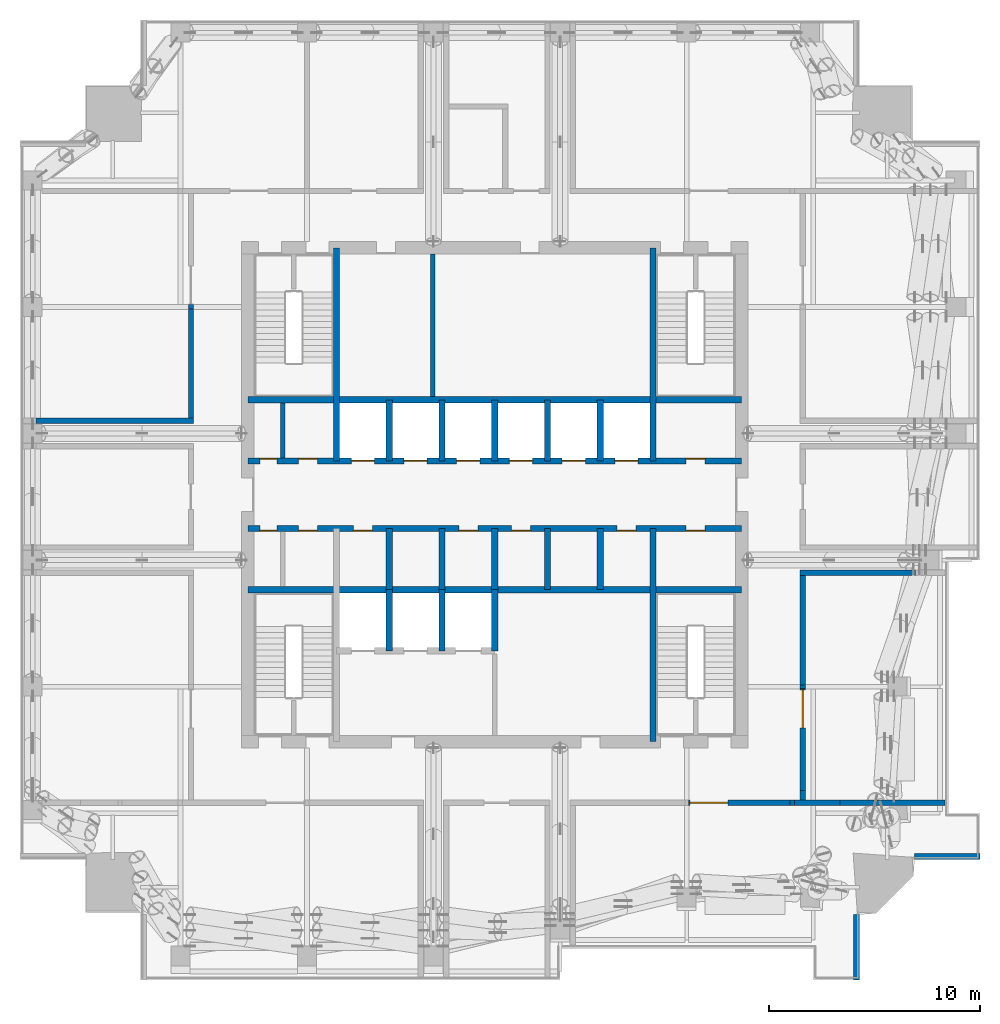
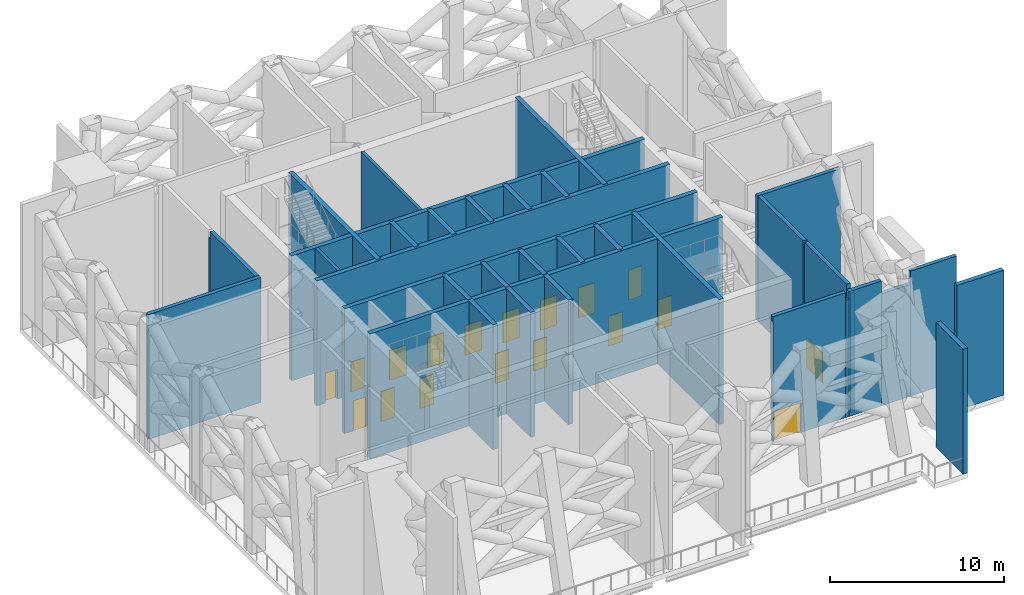
# One storey, part 8 of 18: 37 walls, 18 doors, 18 openings.
"""IFC4 building model written with IfcOpenShell, lengths in metres."""

from ifc_helpers import new_model, si_unit, direction, frame, frame_2d, origin, place, context, subcontext, project, spatial, rectangle, extrude, material, layer, layer_set, type_object, element, fill, save


model = new_model("IFC4")

# Units and contexts
model_context = context("Model", 3, precision=1e-05, world=origin(), true_north=direction((0.0, 1.0)))
body_context = subcontext(model_context, "Body", "Model", "MODEL_VIEW")
ifc_project = project(units=[si_unit("LENGTHUNIT", "METRE"), si_unit("AREAUNIT", "SQUARE_METRE"), si_unit("VOLUMEUNIT", "CUBIC_METRE"), si_unit("PLANEANGLEUNIT", "RADIAN"), si_unit("MASSUNIT", "GRAM", prefix="KILO")], contexts=[model_context])

# Site, building, storey
site_placement = place(None, origin())
site = spatial("IfcSite", under=ifc_project, at=site_placement, CompositionType="ELEMENT")
building_placement = place(site_placement, origin())
building = spatial("IfcBuilding", under=site, at=building_placement, Name="Amberfall Residences", CompositionType="ELEMENT")
storey_placement = place(building_placement, frame((0.0, 0.0, 229.89990234375)))
storey = spatial("IfcBuildingStorey", under=building, at=storey_placement, Name="L62", CompositionType="ELEMENT", Elevation=229.89990234375)

# Wall, opening, door
ifc_material_1 = material(Name="Reinforced concrete C40", Category="concrete")
ifc_layer_1 = layer(ifc_material_1, 0.25)
ifc_layer_set_1 = layer_set([ifc_layer_1], Name="Compartment wall 250")
wall_type_1 = type_object("IfcWallType", Name="Compartment wall 250", PredefinedType="SOLIDWALL", material=ifc_layer_set_1)
wall_1_placement = place(storey_placement, frame((83.688720703125, 30.89990234375, 0.0), z_axis=(0.0, 0.0, 1.0), x_axis=(1.0, 0.0, 0.0)))
wall_1 = element("IfcWall", 1, at=wall_1_placement, inside=storey, type_object=wall_type_1, Name="Compartment wall 250 L62 012", PredefinedType="SOLIDWALL", context=body_context, shape_type="SweptSolid", body=[
    extrude(rectangle(XDim=4.806640625, YDim=0.25, at=frame_2d((2.4033203125, 0.0))), origin(), (0.0, 0.0, 1.0), 8.75),
])
opening_1_placement = place(wall_1_placement, frame((0.061279296875, 0.0, 0.0)))
opening_1 = element("IfcOpeningElement", 2, at=opening_1_placement, cuts=wall_1, Name="Opening D13", PredefinedType="OPENING", context=body_context, shape_type="SweptSolid", body=[
    extrude(rectangle(XDim=1.800048828125, YDim=2.10009765625, at=frame_2d((0.89990234375, 1.050048828125))), frame((0.0, 0.135009765625, 0.0), z_axis=(0.0, -1.0, 0.0), x_axis=(1.0, 0.0, 0.0)), (0.0, 0.0, 1.0), 0.27001953125),
])
ifc_material_2 = material(Name="Steel fire door leaf", Category="steel")
door_type_1 = type_object("IfcDoorType", Name="Double fire door 1800x2100 FD60", OperationType="DOUBLE_DOOR_SINGLE_SWING", PredefinedType="DOOR", material=ifc_material_2)
door_1_placement = place(opening_1_placement, origin())
door_1 = element("IfcDoor", 3, at=door_1_placement, inside=storey, type_object=door_type_1, Name="Door Refuge area 3", OperationType="DOUBLE_DOOR_SINGLE_SWING", OverallHeight=2.10009765625, OverallWidth=1.800048828125, PredefinedType="DOOR", context=body_context, shape_type="SweptSolid", body=[
    extrude(rectangle(XDim=1.800048828125, YDim=2.10009765625, at=frame_2d((0.89990234375, 1.050048828125))), frame((0.0, 0.02490234375, 0.0), z_axis=(0.0, -1.0, 0.0), x_axis=(1.0, 0.0, 0.0)), (0.0, 0.0, 1.0), 0.050048828125),
])
fill(opening_1, door_1)

# Walls
wall_2_placement = place(storey_placement, frame((88.495361328125, 30.89990234375, 0.0), z_axis=(0.0, 0.0, 1.0), x_axis=(1.0, 0.0, 0.0)))
element("IfcWall", 4, at=wall_2_placement, inside=storey, type_object=wall_type_1, Name="Compartment wall 250 L62 013", PredefinedType="SOLIDWALL", context=body_context, shape_type="SweptSolid", body=[
    extrude(rectangle(XDim=0.209228515625, YDim=0.25, at=frame_2d((0.1044921875, 0.0))), origin(), (0.0, 0.0, 1.0), 8.217041015625),
])
wall_3_placement = place(storey_placement, frame((88.70458984375, 30.89990234375, 0.0), z_axis=(0.0, 0.0, 1.0), x_axis=(1.0, 0.0, 0.0)))
element("IfcWall", 5, at=wall_3_placement, inside=storey, type_object=wall_type_1, Name="Compartment wall 250 L62 014", PredefinedType="SOLIDWALL", context=body_context, shape_type="SweptSolid", body=[
    extrude(rectangle(XDim=2.158935546875, YDim=0.25, at=frame_2d((1.07958984375, 0.0))), origin(), (0.0, 0.0, 1.0), 8.75),
])
wall_4_placement = place(storey_placement, frame((90.863525390625, 30.89990234375, 0.0), z_axis=(0.0, 0.0, 1.0), x_axis=(1.0, 0.0, 0.0)))
element("IfcWall", 6, at=wall_4_placement, inside=storey, type_object=wall_type_1, Name="Compartment wall 250 L62 015", PredefinedType="SOLIDWALL", context=body_context, shape_type="SweptSolid", body=[
    extrude(rectangle(XDim=1.929443359375, YDim=0.25, at=frame_2d((0.96484375, 0.0))), origin(), (0.0, 0.0, 1.0), 7.836181640625),
])
wall_5_placement = place(storey_placement, frame((92.79296875, 30.89990234375, 0.0), z_axis=(0.0, 0.0, 1.0), x_axis=(1.0, 0.0, 0.0)))
element("IfcWall", 7, at=wall_5_placement, inside=storey, type_object=wall_type_1, Name="Compartment wall 250 L62 016", PredefinedType="SOLIDWALL", context=body_context, shape_type="SweptSolid", body=[
    extrude(rectangle(XDim=3.05712890625, YDim=0.25, at=frame_2d((1.528564453125, 0.0))), origin(), (0.0, 0.0, 1.0), 8.75),
])
wall_6_placement = place(storey_placement, frame((88.97509765625, 41.800048828125, 0.0), z_axis=(0.0, 0.0, 1.0), x_axis=(1.0, 0.0, 0.0)))
element("IfcWall", 8, at=wall_6_placement, inside=storey, type_object=wall_type_1, Name="Compartment wall 250 L62 019", PredefinedType="SOLIDWALL", context=body_context, shape_type="SweptSolid", body=[
    extrude(rectangle(XDim=5.474853515625, YDim=0.25, at=frame_2d((2.7373046875, 0.0))), origin(), (0.0, 0.0, 1.0), 8.75),
])
wall_7_placement = place(storey_placement, frame((52.75, 49.0, 0.0), z_axis=(0.0, 0.0, 1.0), x_axis=(1.0, 0.0, 0.0)))
element("IfcWall", 9, at=wall_7_placement, inside=storey, type_object=wall_type_1, Name="Compartment wall 250 L62 033", PredefinedType="SOLIDWALL", context=body_context, shape_type="SweptSolid", body=[
    extrude(rectangle(XDim=7.47509765625, YDim=0.25, at=frame_2d((3.737548828125, 0.0))), origin(), (0.0, 0.0, 1.0), 8.75),
])
wall_8_placement = place(storey_placement, frame((60.10009765625, 49.125, 0.0), z_axis=(0.0, 0.0, 1.0), x_axis=(0.0, 1.0, 0.0)))
element("IfcWall", 10, at=wall_8_placement, inside=storey, type_object=wall_type_1, Name="Compartment wall 250 L62 055", PredefinedType="SOLIDWALL", context=body_context, shape_type="SweptSolid", body=[
    extrude(rectangle(XDim=5.17041015625, YDim=0.25, at=frame_2d((2.585205078125, 0.0))), origin(), (0.0, 0.0, 1.0), 8.75),
])
wall_9_placement = place(storey_placement, frame((60.10009765625, 54.29541015625, 0.0), z_axis=(0.0, 0.0, 1.0), x_axis=(0.0, 1.0, 0.0)))
element("IfcWall", 11, at=wall_9_placement, inside=storey, type_object=wall_type_1, Name="Compartment wall 250 L62 056", PredefinedType="SOLIDWALL", context=body_context, shape_type="SweptSolid", body=[
    extrude(rectangle(XDim=0.209228515625, YDim=0.25, at=frame_2d((0.1044921875, 0.0))), origin(), (0.0, 0.0, 1.0), 8.217041015625),
])
wall_10_placement = place(storey_placement, frame((89.10009765625, 31.02490234375, 0.0), z_axis=(0.0, 0.0, 1.0), x_axis=(0.0, 1.0, 0.0)))
element("IfcWall", 12, at=wall_10_placement, inside=storey, type_object=wall_type_1, Name="Compartment wall 250 L62 080", PredefinedType="SOLIDWALL", context=body_context, shape_type="SweptSolid", body=[
    extrude(rectangle(XDim=0.460693359375, YDim=0.25, at=frame_2d((0.23046875, 0.0))), origin(), (0.0, 0.0, 1.0), 8.399169921875),
])

# Wall, opening, door
wall_11_placement = place(storey_placement, frame((89.10009765625, 31.485595703125, 0.0), z_axis=(0.0, 0.0, 1.0), x_axis=(0.0, 1.0, 0.0)))
wall_11 = element("IfcWall", 13, at=wall_11_placement, inside=storey, type_object=wall_type_1, Name="Compartment wall 250 L62 081", PredefinedType="SOLIDWALL", context=body_context, shape_type="SweptSolid", body=[
    extrude(rectangle(XDim=4.825439453125, YDim=0.25, at=frame_2d((2.41259765625, 0.0))), origin(), (0.0, 0.0, 1.0), 8.75),
])
opening_2_placement = place(wall_11_placement, frame((2.96435546875, 0.0, 0.0)))
opening_2 = element("IfcOpeningElement", 14, at=opening_2_placement, cuts=wall_11, Name="Opening D13", PredefinedType="OPENING", context=body_context, shape_type="SweptSolid", body=[
    extrude(rectangle(XDim=1.800048828125, YDim=2.10009765625, at=frame_2d((0.89990234375, 1.050048828125))), frame((0.0, 0.135009765625, 0.0), z_axis=(0.0, -1.0, 0.0), x_axis=(1.0, 0.0, 0.0)), (0.0, 0.0, 1.0), 0.27001953125),
])
door_2_placement = place(opening_2_placement, origin())
door_2 = element("IfcDoor", 15, at=door_2_placement, inside=storey, type_object=door_type_1, Name="Door Refuge area 11", OperationType="DOUBLE_DOOR_SINGLE_SWING", OverallHeight=2.10009765625, OverallWidth=1.800048828125, PredefinedType="DOOR", context=body_context, shape_type="SweptSolid", body=[
    extrude(rectangle(XDim=1.800048828125, YDim=2.10009765625, at=frame_2d((0.89990234375, 1.050048828125))), frame((0.0, 0.02490234375, 0.0), z_axis=(0.0, -1.0, 0.0), x_axis=(1.0, 0.0, 0.0)), (0.0, 0.0, 1.0), 0.050048828125),
])
fill(opening_2, door_2)

# Walls
wall_12_placement = place(storey_placement, frame((89.10009765625, 36.31103515625, 0.0), z_axis=(0.0, 0.0, 1.0), x_axis=(0.0, 1.0, 0.0)))
element("IfcWall", 16, at=wall_12_placement, inside=storey, type_object=wall_type_1, Name="Compartment wall 250 L62 082", PredefinedType="SOLIDWALL", context=body_context, shape_type="SweptSolid", body=[
    extrude(rectangle(XDim=0.177734375, YDim=0.25, at=frame_2d((0.0888671875, 0.0))), origin(), (0.0, 0.0, 1.0), 8.34716796875),
])
wall_13_placement = place(storey_placement, frame((89.10009765625, 36.48876953125, 0.0), z_axis=(0.0, 0.0, 1.0), x_axis=(0.0, 1.0, 0.0)))
element("IfcWall", 17, at=wall_13_placement, inside=storey, type_object=wall_type_1, Name="Compartment wall 250 L62 083", PredefinedType="SOLIDWALL", context=body_context, shape_type="SweptSolid", body=[
    extrude(rectangle(XDim=5.186279296875, YDim=0.25, at=frame_2d((2.59326171875, 0.0))), origin(), (0.0, 0.0, 1.0), 8.75),
])
ifc_material_3 = material(Name="Concrete C55", Category="concrete")
ifc_layer_2 = layer(ifc_material_3, 0.300048828125)
ifc_layer_set_2 = layer_set([ifc_layer_2], Name="Core wall 300 C55")
wall_type_2 = type_object("IfcWallType", Name="Core wall 300 C55", PredefinedType="SHEAR", material=ifc_layer_set_2)
wall_14_placement = place(storey_placement, frame((62.800048828125, 41.0, 0.0), z_axis=(0.0, 0.0, 1.0), x_axis=(1.0, 0.0, 0.0)))
element("IfcWall", 18, at=wall_14_placement, inside=storey, type_object=wall_type_2, Name="Core wall RW8 L62 H75", PredefinedType="SHEAR", context=body_context, shape_type="SweptSolid", body=[
    extrude(rectangle(XDim=23.39990234375, YDim=0.300048828125, at=frame_2d((11.699951171875, 0.0))), origin(), (0.0, 0.0, 1.0), 8.75),
])

# Wall, openings, doors
wall_15_placement = place(storey_placement, frame((62.800048828125, 43.89990234375, 0.0), z_axis=(0.0, 0.0, 1.0), x_axis=(1.0, 0.0, 0.0)))
wall_15 = element("IfcWall", 19, at=wall_15_placement, inside=storey, type_object=wall_type_2, Name="Core wall RW8 L62 H104", PredefinedType="SHEAR", context=body_context, shape_type="SweptSolid", body=[
    extrude(rectangle(XDim=23.39990234375, YDim=0.300048828125, at=frame_2d((11.699951171875, 0.0))), origin(), (0.0, 0.0, 1.0), 8.75),
])
opening_3_placement = place(wall_15_placement, frame((0.574951171875, 0.0, 0.0)))
opening_3 = element("IfcOpeningElement", 20, at=opening_3_placement, cuts=wall_15, Name="Opening RD2", PredefinedType="OPENING", context=body_context, shape_type="SweptSolid", body=[
    extrude(rectangle(XDim=0.800048828125, YDim=2.10009765625, at=frame_2d((0.39990234375, 1.050048828125))), frame((0.0, 0.159912109375, 0.0), z_axis=(0.0, -1.0, 0.0), x_axis=(1.0, 0.0, 0.0)), (0.0, 0.0, 1.0), 0.320068359375),
])
opening_4_placement = place(wall_15_placement, frame((2.39990234375, 0.0, 0.0)))
opening_4 = element("IfcOpeningElement", 21, at=opening_4_placement, cuts=wall_15, Name="Opening RD1", PredefinedType="OPENING", context=body_context, shape_type="SweptSolid", body=[
    extrude(rectangle(XDim=0.89990234375, YDim=2.10009765625, at=frame_2d((0.449951171875, 1.050048828125))), frame((0.0, 0.159912109375, 0.0), z_axis=(0.0, -1.0, 0.0), x_axis=(1.0, 0.0, 0.0)), (0.0, 0.0, 1.0), 0.320068359375),
])
opening_5_placement = place(wall_15_placement, frame((20.77490234375, 0.0, 0.0)))
opening_5 = element("IfcOpeningElement", 22, at=opening_5_placement, cuts=wall_15, Name="Opening RD1", PredefinedType="OPENING", context=body_context, shape_type="SweptSolid", body=[
    extrude(rectangle(XDim=0.89990234375, YDim=2.10009765625, at=frame_2d((0.449951171875, 1.050048828125))), frame((0.0, 0.159912109375, 0.0), z_axis=(0.0, -1.0, 0.0), x_axis=(1.0, 0.0, 0.0)), (0.0, 0.0, 1.0), 0.320068359375),
])
opening_6_placement = place(wall_15_placement, frame((5.0, 0.0, 0.0)))
opening_6 = element("IfcOpeningElement", 23, at=opening_6_placement, cuts=wall_15, Name="Opening RD1", PredefinedType="OPENING", context=body_context, shape_type="SweptSolid", body=[
    extrude(rectangle(XDim=0.89990234375, YDim=2.10009765625, at=frame_2d((0.449951171875, 1.050048828125))), frame((0.0, 0.159912109375, 0.0), z_axis=(0.0, -1.0, 0.0), x_axis=(1.0, 0.0, 0.0)), (0.0, 0.0, 1.0), 0.320068359375),
])
opening_7_placement = place(wall_15_placement, frame((10.0, 0.0, 0.0)))
opening_7 = element("IfcOpeningElement", 24, at=opening_7_placement, cuts=wall_15, Name="Opening RD1", PredefinedType="OPENING", context=body_context, shape_type="SweptSolid", body=[
    extrude(rectangle(XDim=0.89990234375, YDim=2.10009765625, at=frame_2d((0.449951171875, 1.050048828125))), frame((0.0, 0.159912109375, 0.0), z_axis=(0.0, -1.0, 0.0), x_axis=(1.0, 0.0, 0.0)), (0.0, 0.0, 1.0), 0.320068359375),
])
opening_8_placement = place(wall_15_placement, frame((12.5, 0.0, 0.0)))
opening_8 = element("IfcOpeningElement", 25, at=opening_8_placement, cuts=wall_15, Name="Opening RD1", PredefinedType="OPENING", context=body_context, shape_type="SweptSolid", body=[
    extrude(rectangle(XDim=0.89990234375, YDim=2.10009765625, at=frame_2d((0.449951171875, 1.050048828125))), frame((0.0, 0.159912109375, 0.0), z_axis=(0.0, -1.0, 0.0), x_axis=(1.0, 0.0, 0.0)), (0.0, 0.0, 1.0), 0.320068359375),
])
opening_9_placement = place(wall_15_placement, frame((17.5, 0.0, 0.0)))
opening_9 = element("IfcOpeningElement", 26, at=opening_9_placement, cuts=wall_15, Name="Opening RD1", PredefinedType="OPENING", context=body_context, shape_type="SweptSolid", body=[
    extrude(rectangle(XDim=0.89990234375, YDim=2.10009765625, at=frame_2d((0.449951171875, 1.050048828125))), frame((0.0, 0.159912109375, 0.0), z_axis=(0.0, -1.0, 0.0), x_axis=(1.0, 0.0, 0.0)), (0.0, 0.0, 1.0), 0.320068359375),
])
ifc_material_4 = material(Name="Steel fire door set", Category="steel")
door_type_2 = type_object("IfcDoorType", Name="Service room door 800 x 2100", OperationType="SINGLE_SWING_LEFT", PredefinedType="DOOR", material=ifc_material_4)
door_3_placement = place(opening_3_placement, origin())
door_3 = element("IfcDoor", 27, at=door_3_placement, inside=storey, type_object=door_type_2, Name="RD2 L62", OperationType="SINGLE_SWING_LEFT", OverallHeight=2.10009765625, OverallWidth=0.800048828125, PredefinedType="DOOR", context=body_context, shape_type="SweptSolid", body=[
    extrude(rectangle(XDim=0.800048828125, YDim=2.10009765625, at=frame_2d((0.39990234375, 1.050048828125))), frame((0.0, -0.08740234375, 0.0), z_axis=(0.0, -1.0, 0.0), x_axis=(1.0, 0.0, 0.0)), (0.0, 0.0, 1.0), 0.050048828125),
])
fill(opening_3, door_3)
door_type_3 = type_object("IfcDoorType", Name="Service room door 900 x 2100", OperationType="SINGLE_SWING_LEFT", PredefinedType="DOOR", material=ifc_material_4)
door_4_placement = place(opening_4_placement, origin())
door_4 = element("IfcDoor", 28, at=door_4_placement, inside=storey, type_object=door_type_3, Name="RD1 L62", OperationType="SINGLE_SWING_RIGHT", OverallHeight=2.10009765625, OverallWidth=0.89990234375, PredefinedType="DOOR", context=body_context, shape_type="SweptSolid", body=[
    extrude(rectangle(XDim=0.89990234375, YDim=2.10009765625, at=frame_2d((0.449951171875, 1.050048828125))), frame((0.0, -0.08740234375, 0.0), z_axis=(0.0, -1.0, 0.0), x_axis=(1.0, 0.0, 0.0)), (0.0, 0.0, 1.0), 0.050048828125),
])
fill(opening_4, door_4)
door_5_placement = place(opening_5_placement, origin())
door_5 = element("IfcDoor", 29, at=door_5_placement, inside=storey, type_object=door_type_3, Name="RD1 L62", OperationType="SINGLE_SWING_LEFT", OverallHeight=2.10009765625, OverallWidth=0.89990234375, PredefinedType="DOOR", context=body_context, shape_type="SweptSolid", body=[
    extrude(rectangle(XDim=0.89990234375, YDim=2.10009765625, at=frame_2d((0.449951171875, 1.050048828125))), frame((0.0, -0.08740234375, 0.0), z_axis=(0.0, -1.0, 0.0), x_axis=(1.0, 0.0, 0.0)), (0.0, 0.0, 1.0), 0.050048828125),
])
fill(opening_5, door_5)
door_6_placement = place(opening_6_placement, origin())
door_6 = element("IfcDoor", 30, at=door_6_placement, inside=storey, type_object=door_type_3, Name="RD1 L62", OperationType="SINGLE_SWING_RIGHT", OverallHeight=2.10009765625, OverallWidth=0.89990234375, PredefinedType="DOOR", context=body_context, shape_type="SweptSolid", body=[
    extrude(rectangle(XDim=0.89990234375, YDim=2.10009765625, at=frame_2d((0.449951171875, 1.050048828125))), frame((0.0, -0.08740234375, 0.0), z_axis=(0.0, -1.0, 0.0), x_axis=(1.0, 0.0, 0.0)), (0.0, 0.0, 1.0), 0.050048828125),
])
fill(opening_6, door_6)
door_7_placement = place(opening_7_placement, origin())
door_7 = element("IfcDoor", 31, at=door_7_placement, inside=storey, type_object=door_type_3, Name="RD1 L62", OperationType="SINGLE_SWING_RIGHT", OverallHeight=2.10009765625, OverallWidth=0.89990234375, PredefinedType="DOOR", context=body_context, shape_type="SweptSolid", body=[
    extrude(rectangle(XDim=0.89990234375, YDim=2.10009765625, at=frame_2d((0.449951171875, 1.050048828125))), frame((0.0, -0.08740234375, 0.0), z_axis=(0.0, -1.0, 0.0), x_axis=(1.0, 0.0, 0.0)), (0.0, 0.0, 1.0), 0.050048828125),
])
fill(opening_7, door_7)
door_8_placement = place(opening_8_placement, origin())
door_8 = element("IfcDoor", 32, at=door_8_placement, inside=storey, type_object=door_type_3, Name="RD1 L62", OperationType="SINGLE_SWING_LEFT", OverallHeight=2.10009765625, OverallWidth=0.89990234375, PredefinedType="DOOR", context=body_context, shape_type="SweptSolid", body=[
    extrude(rectangle(XDim=0.89990234375, YDim=2.10009765625, at=frame_2d((0.449951171875, 1.050048828125))), frame((0.0, -0.08740234375, 0.0), z_axis=(0.0, -1.0, 0.0), x_axis=(1.0, 0.0, 0.0)), (0.0, 0.0, 1.0), 0.050048828125),
])
fill(opening_8, door_8)
door_9_placement = place(opening_9_placement, origin())
door_9 = element("IfcDoor", 33, at=door_9_placement, inside=storey, type_object=door_type_3, Name="RD1 L62", OperationType="SINGLE_SWING_LEFT", OverallHeight=2.10009765625, OverallWidth=0.89990234375, PredefinedType="DOOR", context=body_context, shape_type="SweptSolid", body=[
    extrude(rectangle(XDim=0.89990234375, YDim=2.10009765625, at=frame_2d((0.449951171875, 1.050048828125))), frame((0.0, -0.08740234375, 0.0), z_axis=(0.0, -1.0, 0.0), x_axis=(1.0, 0.0, 0.0)), (0.0, 0.0, 1.0), 0.050048828125),
])
fill(opening_9, door_9)

wall_16_placement = place(storey_placement, frame((62.800048828125, 47.10009765625, 0.0), z_axis=(0.0, 0.0, 1.0), x_axis=(1.0, 0.0, 0.0)))
wall_16 = element("IfcWall", 34, at=wall_16_placement, inside=storey, type_object=wall_type_2, Name="Core wall RW8 L62 H136", PredefinedType="SHEAR", context=body_context, shape_type="SweptSolid", body=[
    extrude(rectangle(XDim=23.39990234375, YDim=0.300048828125, at=frame_2d((11.699951171875, 0.0))), origin(), (0.0, 0.0, 1.0), 8.75),
])
opening_10_placement = place(wall_16_placement, frame((0.574951171875, 0.0, 0.0)))
opening_10 = element("IfcOpeningElement", 35, at=opening_10_placement, cuts=wall_16, Name="Opening RD2", PredefinedType="OPENING", context=body_context, shape_type="SweptSolid", body=[
    extrude(rectangle(XDim=0.800048828125, YDim=2.10009765625, at=frame_2d((0.39990234375, 1.050048828125))), frame((0.0, 0.159912109375, 0.0), z_axis=(0.0, -1.0, 0.0), x_axis=(1.0, 0.0, 0.0)), (0.0, 0.0, 1.0), 0.320068359375),
])
opening_11_placement = place(wall_16_placement, frame((2.39990234375, 0.0, 0.0)))
opening_11 = element("IfcOpeningElement", 36, at=opening_11_placement, cuts=wall_16, Name="Opening RD1", PredefinedType="OPENING", context=body_context, shape_type="SweptSolid", body=[
    extrude(rectangle(XDim=0.89990234375, YDim=2.10009765625, at=frame_2d((0.449951171875, 1.050048828125))), frame((0.0, 0.159912109375, 0.0), z_axis=(0.0, -1.0, 0.0), x_axis=(1.0, 0.0, 0.0)), (0.0, 0.0, 1.0), 0.320068359375),
])
opening_12_placement = place(wall_16_placement, frame((20.77490234375, 0.0, 0.0)))
opening_12 = element("IfcOpeningElement", 37, at=opening_12_placement, cuts=wall_16, Name="Opening RD1", PredefinedType="OPENING", context=body_context, shape_type="SweptSolid", body=[
    extrude(rectangle(XDim=0.89990234375, YDim=2.10009765625, at=frame_2d((0.449951171875, 1.050048828125))), frame((0.0, 0.159912109375, 0.0), z_axis=(0.0, -1.0, 0.0), x_axis=(1.0, 0.0, 0.0)), (0.0, 0.0, 1.0), 0.320068359375),
])
opening_13_placement = place(wall_16_placement, frame((4.89990234375, 0.0, 0.0)))
opening_13 = element("IfcOpeningElement", 38, at=opening_13_placement, cuts=wall_16, Name="Opening LD1", PredefinedType="OPENING", context=body_context, shape_type="SweptSolid", body=[
    extrude(rectangle(XDim=1.10009765625, YDim=2.10009765625, at=frame_2d((0.550048828125, 1.050048828125))), frame((0.0, 0.159912109375, 0.0), z_axis=(0.0, -1.0, 0.0), x_axis=(1.0, 0.0, 0.0)), (0.0, 0.0, 1.0), 0.320068359375),
])
opening_14_placement = place(wall_16_placement, frame((7.39990234375, 0.0, 0.0)))
opening_14 = element("IfcOpeningElement", 39, at=opening_14_placement, cuts=wall_16, Name="Opening LD1", PredefinedType="OPENING", context=body_context, shape_type="SweptSolid", body=[
    extrude(rectangle(XDim=1.10009765625, YDim=2.10009765625, at=frame_2d((0.550048828125, 1.050048828125))), frame((0.0, 0.159912109375, 0.0), z_axis=(0.0, -1.0, 0.0), x_axis=(1.0, 0.0, 0.0)), (0.0, 0.0, 1.0), 0.320068359375),
])
opening_15_placement = place(wall_16_placement, frame((9.89990234375, 0.0, 0.0)))
opening_15 = element("IfcOpeningElement", 40, at=opening_15_placement, cuts=wall_16, Name="Opening LD1", PredefinedType="OPENING", context=body_context, shape_type="SweptSolid", body=[
    extrude(rectangle(XDim=1.10009765625, YDim=2.10009765625, at=frame_2d((0.550048828125, 1.050048828125))), frame((0.0, 0.159912109375, 0.0), z_axis=(0.0, -1.0, 0.0), x_axis=(1.0, 0.0, 0.0)), (0.0, 0.0, 1.0), 0.320068359375),
])
opening_16_placement = place(wall_16_placement, frame((12.39990234375, 0.0, 0.0)))
opening_16 = element("IfcOpeningElement", 41, at=opening_16_placement, cuts=wall_16, Name="Opening LD1", PredefinedType="OPENING", context=body_context, shape_type="SweptSolid", body=[
    extrude(rectangle(XDim=1.10009765625, YDim=2.10009765625, at=frame_2d((0.550048828125, 1.050048828125))), frame((0.0, 0.159912109375, 0.0), z_axis=(0.0, -1.0, 0.0), x_axis=(1.0, 0.0, 0.0)), (0.0, 0.0, 1.0), 0.320068359375),
])
opening_17_placement = place(wall_16_placement, frame((14.89990234375, 0.0, 0.0)))
opening_17 = element("IfcOpeningElement", 42, at=opening_17_placement, cuts=wall_16, Name="Opening LD1", PredefinedType="OPENING", context=body_context, shape_type="SweptSolid", body=[
    extrude(rectangle(XDim=1.10009765625, YDim=2.10009765625, at=frame_2d((0.550048828125, 1.050048828125))), frame((0.0, 0.159912109375, 0.0), z_axis=(0.0, -1.0, 0.0), x_axis=(1.0, 0.0, 0.0)), (0.0, 0.0, 1.0), 0.320068359375),
])
opening_18_placement = place(wall_16_placement, frame((17.39990234375, 0.0, 0.0)))
opening_18 = element("IfcOpeningElement", 43, at=opening_18_placement, cuts=wall_16, Name="Opening LD1", PredefinedType="OPENING", context=body_context, shape_type="SweptSolid", body=[
    extrude(rectangle(XDim=1.10009765625, YDim=2.10009765625, at=frame_2d((0.550048828125, 1.050048828125))), frame((0.0, 0.159912109375, 0.0), z_axis=(0.0, -1.0, 0.0), x_axis=(1.0, 0.0, 0.0)), (0.0, 0.0, 1.0), 0.320068359375),
])
door_type_4 = type_object("IfcDoorType", Name="Lift landing door 1100 x 2100", OperationType="DOUBLE_DOOR_SLIDING", PredefinedType="DOOR", material=ifc_material_4)
door_10_placement = place(opening_13_placement, origin())
door_10 = element("IfcDoor", 44, at=door_10_placement, inside=storey, type_object=door_type_4, Name="Landing door HP1 L62", OperationType="DOUBLE_DOOR_SLIDING", OverallHeight=2.10009765625, OverallWidth=1.10009765625, PredefinedType="DOOR", context=body_context, shape_type="SweptSolid", body=[
    extrude(rectangle(XDim=1.10009765625, YDim=2.10009765625, at=frame_2d((0.550048828125, 1.050048828125))), frame((0.0, 0.02490234375, 0.0), z_axis=(0.0, -1.0, 0.0), x_axis=(1.0, 0.0, 0.0)), (0.0, 0.0, 1.0), 0.050048828125),
])
fill(opening_13, door_10)
door_11_placement = place(opening_14_placement, origin())
door_11 = element("IfcDoor", 45, at=door_11_placement, inside=storey, type_object=door_type_4, Name="Landing door HP2 L62", OperationType="DOUBLE_DOOR_SLIDING", OverallHeight=2.10009765625, OverallWidth=1.10009765625, PredefinedType="DOOR", context=body_context, shape_type="SweptSolid", body=[
    extrude(rectangle(XDim=1.10009765625, YDim=2.10009765625, at=frame_2d((0.550048828125, 1.050048828125))), frame((0.0, 0.02490234375, 0.0), z_axis=(0.0, -1.0, 0.0), x_axis=(1.0, 0.0, 0.0)), (0.0, 0.0, 1.0), 0.050048828125),
])
fill(opening_14, door_11)
door_12_placement = place(opening_15_placement, origin())
door_12 = element("IfcDoor", 46, at=door_12_placement, inside=storey, type_object=door_type_4, Name="Landing door HP3 L62", OperationType="DOUBLE_DOOR_SLIDING", OverallHeight=2.10009765625, OverallWidth=1.10009765625, PredefinedType="DOOR", context=body_context, shape_type="SweptSolid", body=[
    extrude(rectangle(XDim=1.10009765625, YDim=2.10009765625, at=frame_2d((0.550048828125, 1.050048828125))), frame((0.0, 0.02490234375, 0.0), z_axis=(0.0, -1.0, 0.0), x_axis=(1.0, 0.0, 0.0)), (0.0, 0.0, 1.0), 0.050048828125),
])
fill(opening_15, door_12)
door_13_placement = place(opening_16_placement, origin())
door_13 = element("IfcDoor", 47, at=door_13_placement, inside=storey, type_object=door_type_4, Name="Landing door HP4 L62", OperationType="DOUBLE_DOOR_SLIDING", OverallHeight=2.10009765625, OverallWidth=1.10009765625, PredefinedType="DOOR", context=body_context, shape_type="SweptSolid", body=[
    extrude(rectangle(XDim=1.10009765625, YDim=2.10009765625, at=frame_2d((0.550048828125, 1.050048828125))), frame((0.0, 0.02490234375, 0.0), z_axis=(0.0, -1.0, 0.0), x_axis=(1.0, 0.0, 0.0)), (0.0, 0.0, 1.0), 0.050048828125),
])
fill(opening_16, door_13)
door_14_placement = place(opening_17_placement, origin())
door_14 = element("IfcDoor", 48, at=door_14_placement, inside=storey, type_object=door_type_4, Name="Landing door HP5 L62", OperationType="DOUBLE_DOOR_SLIDING", OverallHeight=2.10009765625, OverallWidth=1.10009765625, PredefinedType="DOOR", context=body_context, shape_type="SweptSolid", body=[
    extrude(rectangle(XDim=1.10009765625, YDim=2.10009765625, at=frame_2d((0.550048828125, 1.050048828125))), frame((0.0, 0.02490234375, 0.0), z_axis=(0.0, -1.0, 0.0), x_axis=(1.0, 0.0, 0.0)), (0.0, 0.0, 1.0), 0.050048828125),
])
fill(opening_17, door_14)
door_15_placement = place(opening_18_placement, origin())
door_15 = element("IfcDoor", 49, at=door_15_placement, inside=storey, type_object=door_type_4, Name="Landing door HP6 L62", OperationType="DOUBLE_DOOR_SLIDING", OverallHeight=2.10009765625, OverallWidth=1.10009765625, PredefinedType="DOOR", context=body_context, shape_type="SweptSolid", body=[
    extrude(rectangle(XDim=1.10009765625, YDim=2.10009765625, at=frame_2d((0.550048828125, 1.050048828125))), frame((0.0, 0.02490234375, 0.0), z_axis=(0.0, -1.0, 0.0), x_axis=(1.0, 0.0, 0.0)), (0.0, 0.0, 1.0), 0.050048828125),
])
fill(opening_18, door_15)
door_16_placement = place(opening_10_placement, origin())
door_16 = element("IfcDoor", 50, at=door_16_placement, inside=storey, type_object=door_type_2, Name="RD2 L62", OperationType="SINGLE_SWING_LEFT", OverallHeight=2.10009765625, OverallWidth=0.800048828125, PredefinedType="DOOR", context=body_context, shape_type="SweptSolid", body=[
    extrude(rectangle(XDim=0.800048828125, YDim=2.10009765625, at=frame_2d((0.39990234375, 1.050048828125))), frame((0.0, 0.1376953125, 0.0), z_axis=(0.0, -1.0, 0.0), x_axis=(1.0, 0.0, 0.0)), (0.0, 0.0, 1.0), 0.050048828125),
])
fill(opening_10, door_16)
door_17_placement = place(opening_11_placement, origin())
door_17 = element("IfcDoor", 51, at=door_17_placement, inside=storey, type_object=door_type_3, Name="RD1 L62", OperationType="SINGLE_SWING_RIGHT", OverallHeight=2.10009765625, OverallWidth=0.89990234375, PredefinedType="DOOR", context=body_context, shape_type="SweptSolid", body=[
    extrude(rectangle(XDim=0.89990234375, YDim=2.10009765625, at=frame_2d((0.449951171875, 1.050048828125))), frame((0.0, 0.1376953125, 0.0), z_axis=(0.0, -1.0, 0.0), x_axis=(1.0, 0.0, 0.0)), (0.0, 0.0, 1.0), 0.050048828125),
])
fill(opening_11, door_17)
door_18_placement = place(opening_12_placement, origin())
door_18 = element("IfcDoor", 52, at=door_18_placement, inside=storey, type_object=door_type_3, Name="RD1 L62", OperationType="SINGLE_SWING_LEFT", OverallHeight=2.10009765625, OverallWidth=0.89990234375, PredefinedType="DOOR", context=body_context, shape_type="SweptSolid", body=[
    extrude(rectangle(XDim=0.89990234375, YDim=2.10009765625, at=frame_2d((0.449951171875, 1.050048828125))), frame((0.0, 0.1376953125, 0.0), z_axis=(0.0, -1.0, 0.0), x_axis=(1.0, 0.0, 0.0)), (0.0, 0.0, 1.0), 0.050048828125),
])
fill(opening_12, door_18)

# Walls
wall_17_placement = place(storey_placement, frame((62.800048828125, 50.0, 0.0), z_axis=(0.0, 0.0, 1.0), x_axis=(1.0, 0.0, 0.0)))
element("IfcWall", 53, at=wall_17_placement, inside=storey, type_object=wall_type_2, Name="Core wall RW8 L62 H165", PredefinedType="SHEAR", context=body_context, shape_type="SweptSolid", body=[
    extrude(rectangle(XDim=23.39990234375, YDim=0.300048828125, at=frame_2d((11.699951171875, 0.0))), origin(), (0.0, 0.0, 1.0), 8.75),
])
for number, where, z_axis, x_axis, name in (
    (54, (67.0, 47.10009765625, 0.0), (0.0, 0.0, 1.0), (0.0, 1.0, 0.0), "Core wall RW8 L62 V45N"),
    (55, (82.0, 33.800048828125, 0.0), (0.0, 0.0, 1.0), (0.0, 1.0, 0.0), "Core wall RW8 L62 V195S"),
    (56, (82.0, 47.10009765625, 0.0), (0.0, 0.0, 1.0), (0.0, 1.0, 0.0), "Core wall RW8 L62 V195N"),
):
    element("IfcWall", number, at=place(storey_placement, frame(where, z_axis=z_axis, x_axis=x_axis)), inside=storey, type_object=wall_type_2, Name=name, PredefinedType="SHEAR", context=body_context, shape_type="SweptSolid", body=[
        extrude(rectangle(XDim=10.099853515625, YDim=0.300048828125, at=frame_2d((5.0498046875, 0.0))), origin(), (0.0, 0.0, 1.0), 8.75),
    ])
for number, where, z_axis, x_axis, name in (
    (57, (69.5, 41.0, 0.0), (0.0, 0.0, 1.0), (0.0, 1.0, 0.0), "Core wall RW8 L62 LPD1"),
    (58, (69.5, 47.10009765625, 0.0), (0.0, 0.0, 1.0), (0.0, 1.0, 0.0), "Core wall RW8 L62 HPD1"),
    (59, (72.0, 41.0, 0.0), (0.0, 0.0, 1.0), (0.0, 1.0, 0.0), "Core wall RW8 L62 LPD2"),
    (60, (72.0, 47.10009765625, 0.0), (0.0, 0.0, 1.0), (0.0, 1.0, 0.0), "Core wall RW8 L62 HPD2"),
    (61, (74.5, 41.0, 0.0), (0.0, 0.0, 1.0), (0.0, 1.0, 0.0), "Core wall RW8 L62 LPD3"),
    (62, (74.5, 47.10009765625, 0.0), (0.0, 0.0, 1.0), (0.0, 1.0, 0.0), "Core wall RW8 L62 HPD3"),
    (63, (77.0, 41.0, 0.0), (0.0, 0.0, 1.0), (0.0, 1.0, 0.0), "Core wall RW8 L62 LPD4"),
    (64, (77.0, 47.10009765625, 0.0), (0.0, 0.0, 1.0), (0.0, 1.0, 0.0), "Core wall RW8 L62 HPD4"),
    (65, (79.5, 41.0, 0.0), (0.0, 0.0, 1.0), (0.0, 1.0, 0.0), "Core wall RW8 L62 LPD5"),
    (66, (79.5, 47.10009765625, 0.0), (0.0, 0.0, 1.0), (0.0, 1.0, 0.0), "Core wall RW8 L62 HPD5"),
    (67, (69.5, 38.10009765625, 0.0), (0.0, 0.0, 1.0), (0.0, 1.0, 0.0), "Core wall RW8 L62 FFD1"),
    (68, (72.0, 38.10009765625, 0.0), (0.0, 0.0, 1.0), (0.0, 1.0, 0.0), "Core wall RW8 L62 FFD2"),
    (69, (74.5, 38.10009765625, 0.0), (0.0, 0.0, 1.0), (0.0, 1.0, 0.0), "Core wall RW8 L62 FFD3"),
):
    element("IfcWall", number, at=place(storey_placement, frame(where, z_axis=z_axis, x_axis=x_axis)), inside=storey, type_object=wall_type_2, Name=name, PredefinedType="SHEAR", context=body_context, shape_type="SweptSolid", body=[
        extrude(rectangle(XDim=2.89990234375, YDim=0.300048828125, at=frame_2d((1.449951171875, 0.0))), origin(), (0.0, 0.0, 1.0), 8.75),
    ])
ifc_material_5 = material(Name="Bronze aluminium louvre cladding on insulated backing", Category="aluminium")
ifc_layer_3 = layer(ifc_material_5, 0.300048828125)
ifc_layer_set_3 = layer_set([ifc_layer_3], Name="Louvre clad wall 300")
wall_type_3 = type_object("IfcWallType", Name="Louvre clad wall 300", PredefinedType="SOLIDWALL", material=ifc_layer_set_3)
for number, where, z_axis, x_axis, name in (
    (70, (91.64990234375, 22.5, 0.0), (0.0, 0.0, 1.0), (0.0, 1.0, 0.0), "External wall L62 SE"),
    (71, (94.39990234375, 28.35009765625, 0.0), (0.0, 0.0, 1.0), (1.0, 0.0, 0.0), "External wall L62 SE"),
):
    element("IfcWall", number, at=place(storey_placement, frame(where, z_axis=z_axis, x_axis=x_axis)), inside=storey, type_object=wall_type_3, Name=name, PredefinedType="SOLIDWALL", context=body_context, shape_type="SweptSolid", body=[
        extrude(rectangle(XDim=3.10009765625, YDim=0.300048828125, at=frame_2d((1.550048828125, 0.0))), origin(), (0.0, 0.0, 1.0), 8.75),
    ])
ifc_material_6 = material(Name="Concrete blockwork", Category="masonry")
ifc_layer_4 = layer(ifc_material_6, 0.199951171875)
ifc_layer_set_4 = layer_set([ifc_layer_4], Name="Riser wall 200")
wall_type_4 = type_object("IfcWallType", Name="Riser wall 200", PredefinedType="PLUMBINGWALL", material=ifc_layer_set_4)
wall_18_placement = place(storey_placement, frame((64.449951171875, 47.25, 0.0), z_axis=(0.0, 0.0, 1.0), x_axis=(0.0, 1.0, 0.0)))
element("IfcWall", 72, at=wall_18_placement, inside=storey, type_object=wall_type_4, Name="L62 core wall ANW0", PredefinedType="PLUMBINGWALL", context=body_context, shape_type="SweptSolid", body=[
    extrude(rectangle(XDim=2.60009765625, YDim=0.199951171875, at=frame_2d((1.300048828125, 0.0))), origin(), (0.0, 0.0, 1.0), 8.75),
])
wall_19_placement = place(storey_placement, frame((71.56005859375, 50.14990234375, 0.0), z_axis=(0.0, 0.0, 1.0), x_axis=(0.0, 1.0, 0.0)))
element("IfcWall", 73, at=wall_19_placement, inside=storey, type_object=wall_type_4, Name="L62 core wall N0", PredefinedType="PLUMBINGWALL", context=body_context, shape_type="SweptSolid", body=[
    extrude(rectangle(XDim=6.75, YDim=0.199951171875, at=frame_2d((3.375, 0.0))), origin(), (0.0, 0.0, 1.0), 8.75),
])

save(model, "model.ifc")
